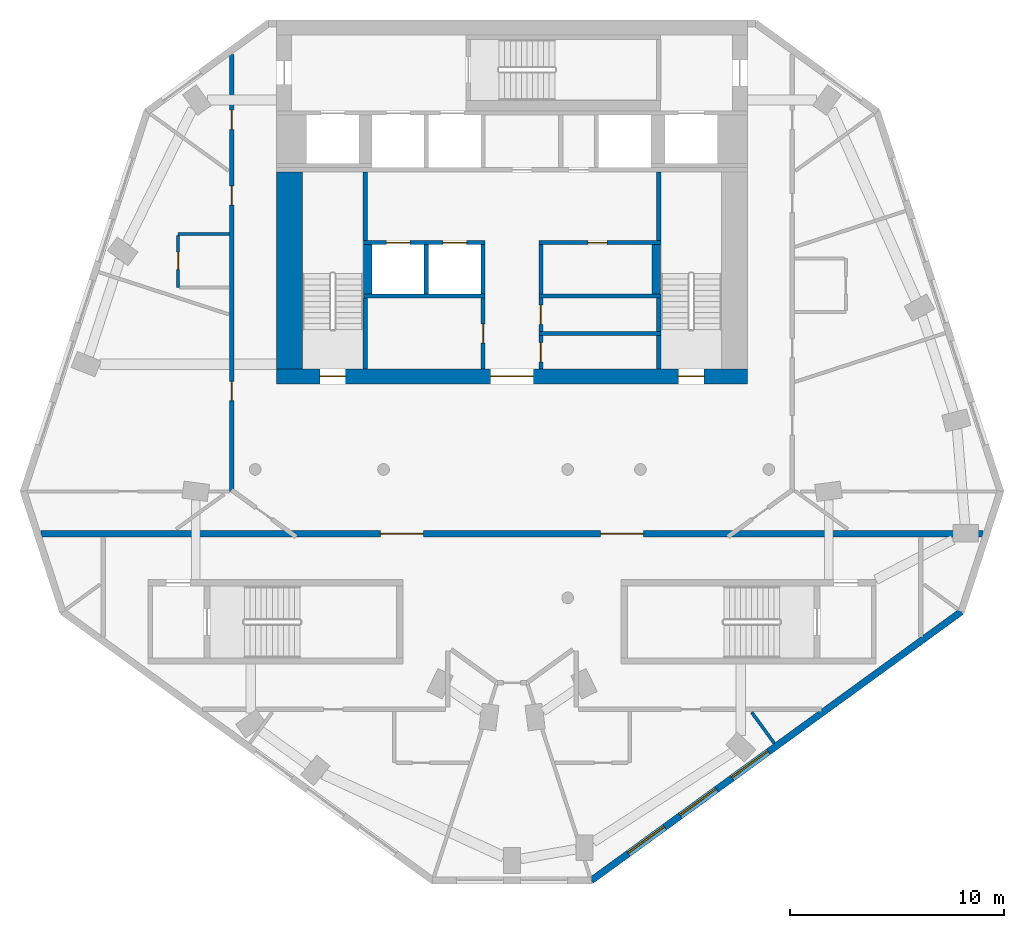
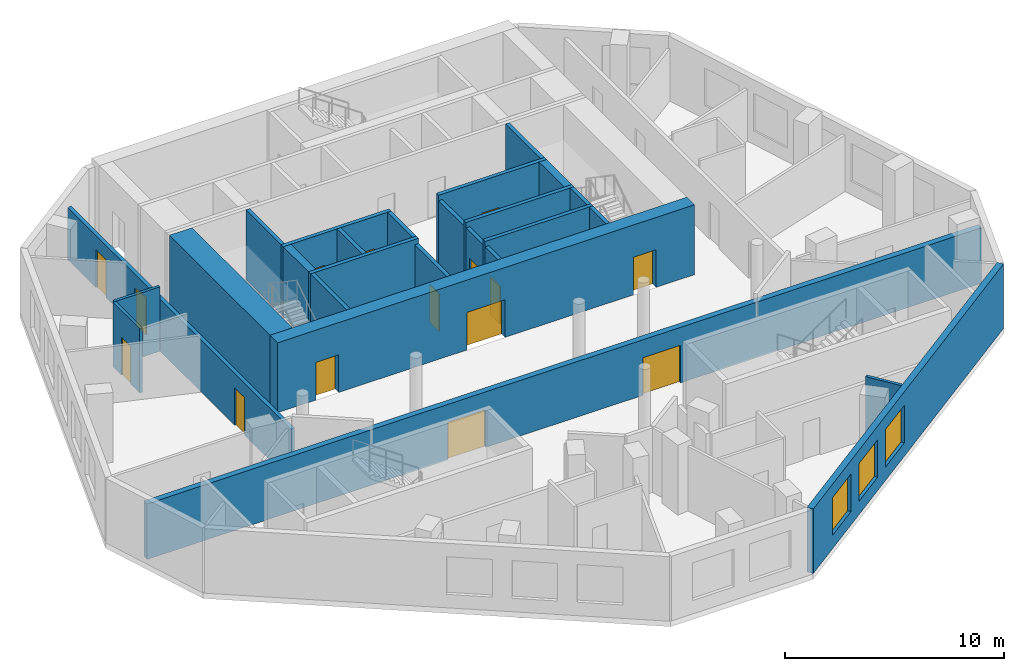
# One storey, part 3 of 8: 26 walls, 15 doors, 3 windows, 18 openings.
"""IFC4 building model written with IfcOpenShell, lengths in metres."""

from ifc_helpers import new_model, si_unit, direction, frame, frame_2d, origin, place, context, subcontext, project, spatial, rectangle, extrude, material, layer, layer_set, type_object, element, fill, save


model = new_model("IFC4")

# Units and contexts
model_context = context("Model", 3, precision=1e-05, world=origin(), true_north=direction((0.0, 1.0)))
body_context = subcontext(model_context, "Body", "Model", "MODEL_VIEW")
ifc_project = project(units=[si_unit("LENGTHUNIT", "METRE"), si_unit("AREAUNIT", "SQUARE_METRE"), si_unit("VOLUMEUNIT", "CUBIC_METRE"), si_unit("PLANEANGLEUNIT", "RADIAN"), si_unit("MASSUNIT", "GRAM", prefix="KILO")], contexts=[model_context])

# Site, building, storey
site_placement = place(None, origin())
site = spatial("IfcSite", under=ifc_project, at=site_placement, CompositionType="ELEMENT")
building_placement = place(site_placement, origin())
building = spatial("IfcBuilding", under=site, at=building_placement, Name="White Candle Pilgrim Tower", CompositionType="ELEMENT")
storey_placement = place(building_placement, frame((0.0, 0.0, 291.199951171875)))
storey = spatial("IfcBuildingStorey", under=building, at=storey_placement, Name="L69", CompositionType="ELEMENT", Elevation=291.199951171875)

# Wall, openings, doors
ifc_material_1 = material(Name="Gypsum board on steel studs", Category="steel")
ifc_layer_1 = layer(ifc_material_1, 0.199951171875)
ifc_layer_set_1 = layer_set([ifc_layer_1], Name="Corridor wall 200 mm EI 45")
wall_type_1 = type_object("IfcWallType", Name="Corridor wall 200 mm EI 45", PredefinedType="PARTITIONING", material=ifc_layer_set_1)
wall_1_placement = place(storey_placement, frame((56.89990234375, 65.97998046875, 0.0), z_axis=(0.0, 0.0, 1.0), x_axis=(0.0, 1.0, 0.0)))
wall_1 = element("IfcWall", 1, at=wall_1_placement, inside=storey, type_object=wall_type_1, Name="WL-L69-P004", PredefinedType="PARTITIONING", context=body_context, shape_type="SweptSolid", body=[
    extrude(rectangle(XDim=20.416259765625, YDim=0.199951171875, at=frame_2d((10.2080078125, 0.0))), origin(), (0.0, 0.0, 1.0), 2.900146484375),
])
opening_1_placement = place(wall_1_placement, frame((4.241455078125, 0.0, 0.0)))
opening_1 = element("IfcOpeningElement", 2, at=opening_1_placement, cuts=wall_1, Name="Opening T21-110", PredefinedType="OPENING", context=body_context, shape_type="SweptSolid", body=[
    extrude(rectangle(XDim=0.89990234375, YDim=2.10009765625, at=frame_2d((0.449951171875, 1.050048828125))), frame((0.0, 0.10986328125, 0.0), z_axis=(0.0, -1.0, 0.0), x_axis=(1.0, 0.0, 0.0)), (0.0, 0.0, 1.0), 0.219970703125),
])
opening_2_placement = place(wall_1_placement, frame((13.373779296875, 0.0, 0.0)))
opening_2 = element("IfcOpeningElement", 3, at=opening_2_placement, cuts=wall_1, Name="Opening T21-111", PredefinedType="OPENING", context=body_context, shape_type="SweptSolid", body=[
    extrude(rectangle(XDim=0.89990234375, YDim=2.10009765625, at=frame_2d((0.449951171875, 1.050048828125))), frame((0.0, 0.10986328125, 0.0), z_axis=(0.0, -1.0, 0.0), x_axis=(1.0, 0.0, 0.0)), (0.0, 0.0, 1.0), 0.219970703125),
])
opening_3_placement = place(wall_1_placement, frame((16.90380859375, 0.0, 0.0)))
opening_3 = element("IfcOpeningElement", 4, at=opening_3_placement, cuts=wall_1, Name="Opening T21-112", PredefinedType="OPENING", context=body_context, shape_type="SweptSolid", body=[
    extrude(rectangle(XDim=0.89990234375, YDim=2.10009765625, at=frame_2d((0.449951171875, 1.050048828125))), frame((0.0, 0.10986328125, 0.0), z_axis=(0.0, -1.0, 0.0), x_axis=(1.0, 0.0, 0.0)), (0.0, 0.0, 1.0), 0.219970703125),
])
ifc_material_2 = material(Name="Steel door leaf", Category="steel")
door_type_1 = type_object("IfcDoorType", Name="Fire door 900 x 2100 EI 30", OperationType="NOTDEFINED", PredefinedType="DOOR", material=ifc_material_2)
door_1_placement = place(opening_1_placement, origin())
door_1 = element("IfcDoor", 5, at=door_1_placement, inside=storey, type_object=door_type_1, Name="Door T21-110", OperationType="SINGLE_SWING_RIGHT", OverallHeight=2.10009765625, OverallWidth=0.89990234375, PredefinedType="DOOR", context=body_context, shape_type="SweptSolid", body=[
    extrude(rectangle(XDim=0.89990234375, YDim=2.10009765625, at=frame_2d((0.449951171875, 1.050048828125))), frame((0.0, 0.02490234375, 0.0), z_axis=(0.0, -1.0, 0.0), x_axis=(1.0, 0.0, 0.0)), (0.0, 0.0, 1.0), 0.050048828125),
])
fill(opening_1, door_1)
door_2_placement = place(opening_2_placement, origin())
door_2 = element("IfcDoor", 6, at=door_2_placement, inside=storey, type_object=door_type_1, Name="Door T21-111", OperationType="SINGLE_SWING_LEFT", OverallHeight=2.10009765625, OverallWidth=0.89990234375, PredefinedType="DOOR", context=body_context, shape_type="SweptSolid", body=[
    extrude(rectangle(XDim=0.89990234375, YDim=2.10009765625, at=frame_2d((0.449951171875, 1.050048828125))), frame((0.0, 0.02490234375, 0.0), z_axis=(0.0, -1.0, 0.0), x_axis=(1.0, 0.0, 0.0)), (0.0, 0.0, 1.0), 0.050048828125),
])
fill(opening_2, door_2)
door_3_placement = place(opening_3_placement, origin())
door_3 = element("IfcDoor", 7, at=door_3_placement, inside=storey, type_object=door_type_1, Name="Door T21-112", OperationType="SINGLE_SWING_RIGHT", OverallHeight=2.10009765625, OverallWidth=0.89990234375, PredefinedType="DOOR", context=body_context, shape_type="SweptSolid", body=[
    extrude(rectangle(XDim=0.89990234375, YDim=2.10009765625, at=frame_2d((0.449951171875, 1.050048828125))), frame((0.0, 0.02490234375, 0.0), z_axis=(0.0, -1.0, 0.0), x_axis=(1.0, 0.0, 0.0)), (0.0, 0.0, 1.0), 0.050048828125),
])
fill(opening_3, door_3)

# Wall, openings, windows
ifc_material_3 = material(Name="Precast concrete C40/50", Category="concrete")
ifc_layer_2 = layer(ifc_material_3, 0.320068359375)
ifc_layer_set_2 = layer_set([ifc_layer_2], Name="Facade wall EW1 precast concrete C40/50 pier wall with timber-lined reveals")
wall_type_2 = type_object("IfcWallType", Name="Facade wall EW1 precast concrete C40/50 pier wall with timber-lined reveals", PredefinedType="SOLIDWALL", material=ifc_layer_set_2)
wall_2_placement = place(storey_placement, frame((73.705078125, 47.7939453125, 0.0), z_axis=(0.0, 0.0, 1.0), x_axis=(0.809019072803, 0.58778239157, 0.0)))
wall_2 = element("IfcWall", 8, at=wall_2_placement, inside=storey, type_object=wall_type_2, Name="Facade wall L69 SE", PredefinedType="SOLIDWALL", context=body_context, shape_type="SweptSolid", body=[
    extrude(rectangle(XDim=21.369873046875, YDim=0.320068359375, at=frame_2d((10.68505859375, 0.0))), origin(), (0.0, 0.0, 1.0), 3.60009765625),
])
opening_4_placement = place(wall_2_placement, frame((2.135009765625, 0.0, 0.75)))
opening_4 = element("IfcOpeningElement", 9, at=opening_4_placement, cuts=wall_2, Name="Opening W3", PredefinedType="OPENING", context=body_context, shape_type="SweptSolid", body=[
    extrude(rectangle(XDim=2.10009765625, YDim=2.10009765625, at=frame_2d((1.050048828125, 1.050048828125))), frame((0.0, 0.169921875, 0.0), z_axis=(0.0, -1.0, 0.0), x_axis=(1.0, 0.0, 0.0)), (0.0, 0.0, 1.0), 0.340087890625),
])
opening_5_placement = place(wall_2_placement, frame((5.135009765625, 0.0, 0.75)))
opening_5 = element("IfcOpeningElement", 10, at=opening_5_placement, cuts=wall_2, Name="Opening W3", PredefinedType="OPENING", context=body_context, shape_type="SweptSolid", body=[
    extrude(rectangle(XDim=2.10009765625, YDim=2.10009765625, at=frame_2d((1.050048828125, 1.050048828125))), frame((0.0, 0.169921875, 0.0), z_axis=(0.0, -1.0, 0.0), x_axis=(1.0, 0.0, 0.0)), (0.0, 0.0, 1.0), 0.340087890625),
])
opening_6_placement = place(wall_2_placement, frame((8.135009765625, 0.0, 0.75)))
opening_6 = element("IfcOpeningElement", 11, at=opening_6_placement, cuts=wall_2, Name="Opening W3", PredefinedType="OPENING", context=body_context, shape_type="SweptSolid", body=[
    extrude(rectangle(XDim=2.10009765625, YDim=2.10009765625, at=frame_2d((1.050048828125, 1.050048828125))), frame((0.0, 0.169921875, 0.0), z_axis=(0.0, -1.0, 0.0), x_axis=(1.0, 0.0, 0.0)), (0.0, 0.0, 1.0), 0.340087890625),
])
ifc_material_4 = material(Name="Timber frame with triple glazing", Category="wood")
window_type = type_object("IfcWindowType", Name="Window W3 2100x2100 timber frame triple glazing", PartitioningType="SINGLE_PANEL", PredefinedType="WINDOW", material=ifc_material_4)
window_1_placement = place(opening_4_placement, origin())
window_1 = element("IfcWindow", 12, at=window_1_placement, inside=storey, type_object=window_type, Name="Window W3 L69 SE 1", OverallHeight=2.10009765625, OverallWidth=2.10009765625, PartitioningType="SINGLE_PANEL", PredefinedType="WINDOW", context=body_context, shape_type="SweptSolid", body=[
    extrude(rectangle(XDim=2.10009765625, YDim=2.10009765625, at=frame_2d((1.050048828125, 1.050048828125))), frame((0.0, 0.070068359375, 0.0), z_axis=(0.0, -1.0, 0.0), x_axis=(1.0, 0.0, 0.0)), (0.0, 0.0, 1.0), 0.06005859375),
])
fill(opening_4, window_1)
window_2_placement = place(opening_5_placement, origin())
window_2 = element("IfcWindow", 13, at=window_2_placement, inside=storey, type_object=window_type, Name="Window W3 L69 SE 2", OverallHeight=2.10009765625, OverallWidth=2.10009765625, PartitioningType="SINGLE_PANEL", PredefinedType="WINDOW", context=body_context, shape_type="SweptSolid", body=[
    extrude(rectangle(XDim=2.10009765625, YDim=2.10009765625, at=frame_2d((1.050048828125, 1.050048828125))), frame((0.0, 0.070068359375, 0.0), z_axis=(0.0, -1.0, 0.0), x_axis=(1.0, 0.0, 0.0)), (0.0, 0.0, 1.0), 0.06005859375),
])
fill(opening_5, window_2)
window_3_placement = place(opening_6_placement, origin())
window_3 = element("IfcWindow", 14, at=window_3_placement, inside=storey, type_object=window_type, Name="Window W3 L69 SE 3", OverallHeight=2.10009765625, OverallWidth=2.10009765625, PartitioningType="SINGLE_PANEL", PredefinedType="WINDOW", context=body_context, shape_type="SweptSolid", body=[
    extrude(rectangle(XDim=2.10009765625, YDim=2.10009765625, at=frame_2d((1.050048828125, 1.050048828125))), frame((0.0, 0.070068359375, 0.0), z_axis=(0.0, -1.0, 0.0), x_axis=(1.0, 0.0, 0.0)), (0.0, 0.0, 1.0), 0.06005859375),
])
fill(opening_6, window_3)

# Wall, openings, doors
ifc_material_5 = material(Name="Aerated concrete block", Category="concrete")
ifc_layer_3 = layer(ifc_material_5, 0.300048828125)
ifc_layer_set_3 = layer_set([ifc_layer_3], Name="Fire wall 300 mm REI 240")
wall_type_3 = type_object("IfcWallType", Name="Fire wall 300 mm REI 240", PredefinedType="PARTITIONING", material=ifc_layer_set_3)
wall_3_placement = place(storey_placement, frame((47.990234375, 64.0, 0.0), z_axis=(0.0, 0.0, 1.0), x_axis=(1.0, 0.0, 0.0)))
wall_3 = element("IfcWall", 15, at=wall_3_placement, inside=storey, type_object=wall_type_3, Name="WL-L69-P001", PredefinedType="PARTITIONING", context=body_context, shape_type="SweptSolid", body=[
    extrude(rectangle(XDim=44.01953125, YDim=0.300048828125, at=frame_2d((22.009765625, 0.0))), origin(), (0.0, 0.0, 1.0), 3.10009765625),
])
opening_7_placement = place(wall_3_placement, frame((15.864501953125, 0.0, 0.0)))
opening_7 = element("IfcOpeningElement", 16, at=opening_7_placement, cuts=wall_3, Name="Opening T21-108", PredefinedType="OPENING", context=body_context, shape_type="SweptSolid", body=[
    extrude(rectangle(XDim=2.0, YDim=2.10009765625, at=frame_2d((1.0, 1.050048828125))), frame((0.0, 0.159912109375, 0.0), z_axis=(0.0, -1.0, 0.0), x_axis=(1.0, 0.0, 0.0)), (0.0, 0.0, 1.0), 0.320068359375),
])
opening_8_placement = place(wall_3_placement, frame((26.1552734375, 0.0, 0.0)))
opening_8 = element("IfcOpeningElement", 17, at=opening_8_placement, cuts=wall_3, Name="Opening T21-109", PredefinedType="OPENING", context=body_context, shape_type="SweptSolid", body=[
    extrude(rectangle(XDim=2.0, YDim=2.10009765625, at=frame_2d((1.0, 1.050048828125))), frame((0.0, 0.159912109375, 0.0), z_axis=(0.0, -1.0, 0.0), x_axis=(1.0, 0.0, 0.0)), (0.0, 0.0, 1.0), 0.320068359375),
])
door_type_2 = type_object("IfcDoorType", Name="Fire door 2000 x 2100 EI 60", OperationType="NOTDEFINED", PredefinedType="DOOR", material=ifc_material_2)
door_4_placement = place(opening_7_placement, origin())
door_4 = element("IfcDoor", 18, at=door_4_placement, inside=storey, type_object=door_type_2, Name="Door T21-108", OperationType="DOUBLE_DOOR_SINGLE_SWING", OverallHeight=2.10009765625, OverallWidth=2.0, PredefinedType="DOOR", context=body_context, shape_type="SweptSolid", body=[
    extrude(rectangle(XDim=2.0, YDim=2.10009765625, at=frame_2d((1.0, 1.050048828125))), frame((0.0, 0.02490234375, 0.0), z_axis=(0.0, -1.0, 0.0), x_axis=(1.0, 0.0, 0.0)), (0.0, 0.0, 1.0), 0.050048828125),
])
fill(opening_7, door_4)
door_5_placement = place(opening_8_placement, origin())
door_5 = element("IfcDoor", 19, at=door_5_placement, inside=storey, type_object=door_type_2, Name="Door T21-109", OperationType="DOUBLE_DOOR_SINGLE_SWING", OverallHeight=2.10009765625, OverallWidth=2.0, PredefinedType="DOOR", context=body_context, shape_type="SweptSolid", body=[
    extrude(rectangle(XDim=2.0, YDim=2.10009765625, at=frame_2d((1.0, 1.050048828125))), frame((0.0, 0.02490234375, 0.0), z_axis=(0.0, -1.0, 0.0), x_axis=(1.0, 0.0, 0.0)), (0.0, 0.0, 1.0), 0.050048828125),
])
fill(opening_8, door_5)

# Wall, opening, door
ifc_layer_4 = layer(ifc_material_1, 0.199951171875)
ifc_layer_set_4 = layer_set([ifc_layer_4], Name="Lobby wall 200 mm EI 60")
wall_type_4 = type_object("IfcWallType", Name="Lobby wall 200 mm EI 60", PredefinedType="PARTITIONING", material=ifc_layer_set_4)
wall_4_placement = place(storey_placement, frame((68.64990234375, 71.699951171875, 0.0), z_axis=(0.0, 0.0, 1.0), x_axis=(0.0, 1.0, 0.0)))
wall_4 = element("IfcWall", 20, at=wall_4_placement, inside=storey, type_object=wall_type_4, Name="WL-L69-C14", PredefinedType="PARTITIONING", context=body_context, shape_type="SweptSolid", body=[
    extrude(rectangle(XDim=3.300048828125, YDim=0.199951171875, at=frame_2d((1.64990234375, 0.0))), origin(), (0.0, 0.0, 1.0), 3.60009765625),
])
opening_9_placement = place(wall_4_placement, frame((1.199951171875, 0.0, 0.0)))
opening_9 = element("IfcOpeningElement", 21, at=opening_9_placement, cuts=wall_4, Name="Opening T21-005", PredefinedType="OPENING", context=body_context, shape_type="SweptSolid", body=[
    extrude(rectangle(XDim=0.89990234375, YDim=2.10009765625, at=frame_2d((0.449951171875, 1.050048828125))), frame((0.0, 0.10986328125, 0.0), z_axis=(0.0, -1.0, 0.0), x_axis=(1.0, 0.0, 0.0)), (0.0, 0.0, 1.0), 0.219970703125),
])
door_6_placement = place(opening_9_placement, origin())
door_6 = element("IfcDoor", 22, at=door_6_placement, inside=storey, type_object=door_type_1, Name="Door T21-005", OperationType="SINGLE_SWING_LEFT", OverallHeight=2.10009765625, OverallWidth=0.89990234375, PredefinedType="DOOR", context=body_context, shape_type="SweptSolid", body=[
    extrude(rectangle(XDim=0.89990234375, YDim=2.10009765625, at=frame_2d((0.449951171875, 1.050048828125))), frame((0.0, 0.02490234375, 0.0), z_axis=(0.0, -1.0, 0.0), x_axis=(1.0, 0.0, 0.0)), (0.0, 0.0, 1.0), 0.050048828125),
])
fill(opening_9, door_6)

wall_5_placement = place(storey_placement, frame((71.35009765625, 71.699951171875, 0.0), z_axis=(0.0, 0.0, 1.0), x_axis=(0.0, 1.0, 0.0)))
wall_5 = element("IfcWall", 23, at=wall_5_placement, inside=storey, type_object=wall_type_4, Name="WL-L69-C15", PredefinedType="PARTITIONING", context=body_context, shape_type="SweptSolid", body=[
    extrude(rectangle(XDim=1.550048828125, YDim=0.199951171875, at=frame_2d((0.77490234375, 0.0))), origin(), (0.0, 0.0, 1.0), 3.60009765625),
])
opening_10_placement = place(wall_5_placement, frame((0.324951171875, 0.0, 0.0)))
opening_10 = element("IfcOpeningElement", 24, at=opening_10_placement, cuts=wall_5, Name="Opening T21-006", PredefinedType="OPENING", context=body_context, shape_type="SweptSolid", body=[
    extrude(rectangle(XDim=0.89990234375, YDim=2.10009765625, at=frame_2d((0.449951171875, 1.050048828125))), frame((0.0, 0.10986328125, 0.0), z_axis=(0.0, -1.0, 0.0), x_axis=(1.0, 0.0, 0.0)), (0.0, 0.0, 1.0), 0.219970703125),
])
door_7_placement = place(opening_10_placement, origin())
door_7 = element("IfcDoor", 25, at=door_7_placement, inside=storey, type_object=door_type_1, Name="Door T21-006", OperationType="SINGLE_SWING_RIGHT", OverallHeight=2.10009765625, OverallWidth=0.89990234375, PredefinedType="DOOR", context=body_context, shape_type="SweptSolid", body=[
    extrude(rectangle(XDim=0.89990234375, YDim=2.10009765625, at=frame_2d((0.449951171875, 1.050048828125))), frame((0.0, 0.02490234375, 0.0), z_axis=(0.0, -1.0, 0.0), x_axis=(1.0, 0.0, 0.0)), (0.0, 0.0, 1.0), 0.050048828125),
])
fill(opening_10, door_7)

wall_6_placement = place(storey_placement, frame((71.35009765625, 73.449951171875, 0.0), z_axis=(0.0, 0.0, 1.0), x_axis=(0.0, 1.0, 0.0)))
wall_6 = element("IfcWall", 26, at=wall_6_placement, inside=storey, type_object=wall_type_4, Name="WL-L69-C19", PredefinedType="PARTITIONING", context=body_context, shape_type="SweptSolid", body=[
    extrude(rectangle(XDim=1.550048828125, YDim=0.199951171875, at=frame_2d((0.77490234375, 0.0))), origin(), (0.0, 0.0, 1.0), 3.60009765625),
])
opening_11_placement = place(wall_6_placement, frame((0.324951171875, 0.0, 0.0)))
opening_11 = element("IfcOpeningElement", 27, at=opening_11_placement, cuts=wall_6, Name="Opening T21-007", PredefinedType="OPENING", context=body_context, shape_type="SweptSolid", body=[
    extrude(rectangle(XDim=0.89990234375, YDim=2.10009765625, at=frame_2d((0.449951171875, 1.050048828125))), frame((0.0, 0.10986328125, 0.0), z_axis=(0.0, -1.0, 0.0), x_axis=(1.0, 0.0, 0.0)), (0.0, 0.0, 1.0), 0.219970703125),
])
door_8_placement = place(opening_11_placement, origin())
door_8 = element("IfcDoor", 28, at=door_8_placement, inside=storey, type_object=door_type_1, Name="Door T21-007", OperationType="SINGLE_SWING_LEFT", OverallHeight=2.10009765625, OverallWidth=0.89990234375, PredefinedType="DOOR", context=body_context, shape_type="SweptSolid", body=[
    extrude(rectangle(XDim=0.89990234375, YDim=2.10009765625, at=frame_2d((0.449951171875, 1.050048828125))), frame((0.0, 0.02490234375, 0.0), z_axis=(0.0, -1.0, 0.0), x_axis=(1.0, 0.0, 0.0)), (0.0, 0.0, 1.0), 0.050048828125),
])
fill(opening_11, door_8)

# Walls
wall_7_placement = place(storey_placement, frame((71.35009765625, 75.199951171875, 0.0), z_axis=(0.0, 0.0, 1.0), x_axis=(0.0, 1.0, 0.0)))
element("IfcWall", 29, at=wall_7_placement, inside=storey, type_object=wall_type_4, Name="WL-L69-C26", PredefinedType="PARTITIONING", context=body_context, shape_type="SweptSolid", body=[
    extrude(rectangle(XDim=2.300048828125, YDim=0.199951171875, at=frame_2d((1.14990234375, 0.0))), origin(), (0.0, 0.0, 1.0), 3.60009765625),
])
ifc_layer_5 = layer(ifc_material_1, 0.14990234375)
ifc_layer_set_5 = layer_set([ifc_layer_5], Name="Partition 150 mm EI 60")
wall_type_5 = type_object("IfcWallType", Name="Partition 150 mm EI 60", PredefinedType="PARTITIONING", material=ifc_layer_set_5)
wall_8_placement = place(storey_placement, frame((56.800048828125, 78.004150390625, 0.0), z_axis=(0.0, 0.0, 1.0), x_axis=(-1.0, 0.0, 0.0)))
element("IfcWall", 30, at=wall_8_placement, inside=storey, type_object=wall_type_5, Name="WL-L69-P026", PredefinedType="PARTITIONING", context=body_context, shape_type="SweptSolid", body=[
    extrude(rectangle(XDim=2.400146484375, YDim=0.14990234375, at=frame_2d((1.2001953125, 0.0))), origin(), (0.0, 0.0, 1.0), 3.60009765625),
])

# Wall, opening, door
wall_9_placement = place(storey_placement, frame((54.39990234375, 75.504150390625, 0.0), z_axis=(0.0, 0.0, 1.0), x_axis=(0.0, 1.0, 0.0)))
wall_9 = element("IfcWall", 31, at=wall_9_placement, inside=storey, type_object=wall_type_5, Name="WL-L69-P027", PredefinedType="PARTITIONING", context=body_context, shape_type="SweptSolid", body=[
    extrude(rectangle(XDim=2.425048828125, YDim=0.14990234375, at=frame_2d((1.21240234375, 0.0))), origin(), (0.0, 0.0, 1.0), 3.60009765625),
])
opening_12_placement = place(wall_9_placement, frame((0.85009765625, 0.0, 0.0)))
opening_12 = element("IfcOpeningElement", 32, at=opening_12_placement, cuts=wall_9, Name="Opening T21-101", PredefinedType="OPENING", context=body_context, shape_type="SweptSolid", body=[
    extrude(rectangle(XDim=0.800048828125, YDim=2.10009765625, at=frame_2d((0.39990234375, 1.050048828125))), frame((0.0, 0.0849609375, 0.0), z_axis=(0.0, -1.0, 0.0), x_axis=(1.0, 0.0, 0.0)), (0.0, 0.0, 1.0), 0.169921875),
])
door_type_3 = type_object("IfcDoorType", Name="Fire door 800 x 2100 EI 30", OperationType="NOTDEFINED", PredefinedType="DOOR", material=ifc_material_2)
door_9_placement = place(opening_12_placement, origin())
door_9 = element("IfcDoor", 33, at=door_9_placement, inside=storey, type_object=door_type_3, Name="Door T21-101", OperationType="SINGLE_SWING_LEFT", OverallHeight=2.10009765625, OverallWidth=0.800048828125, PredefinedType="DOOR", context=body_context, shape_type="SweptSolid", body=[
    extrude(rectangle(XDim=0.800048828125, YDim=2.10009765625, at=frame_2d((0.39990234375, 1.050048828125))), frame((0.0, 0.02490234375, 0.0), z_axis=(0.0, -1.0, 0.0), x_axis=(1.0, 0.0, 0.0)), (0.0, 0.0, 1.0), 0.050048828125),
])
fill(opening_12, door_9)

# Walls
wall_10_placement = place(storey_placement, frame((82.25537109375, 54.20361328125, 0.0), z_axis=(0.0, 0.0, 1.0), x_axis=(-0.58776731683, 0.809030024947, 0.0)))
element("IfcWall", 34, at=wall_10_placement, inside=storey, type_object=wall_type_5, Name="WL-L69-P032", PredefinedType="PARTITIONING", context=body_context, shape_type="SweptSolid", body=[
    extrude(rectangle(XDim=1.795166015625, YDim=0.14990234375, at=frame_2d((0.8974609375, 0.0))), origin(), (0.0, 0.0, 1.0), 3.60009765625),
])
ifc_material_6 = material(Name="Concrete C50/60", Category="concrete")
ifc_layer_6 = layer(ifc_material_6, 0.199951171875)
ifc_layer_set_6 = layer_set([ifc_layer_6], Name="Shaft wall 200 mm Concrete C50/60")
wall_type_6 = type_object("IfcWallType", Name="Shaft wall 200 mm Concrete C50/60", PredefinedType="SHEAR", material=ifc_layer_set_6)
for number, where, z_axis, x_axis, name in (
    (35, (66.0, 75.199951171875, 0.0), (0.0, 0.0, 1.0), (0.0, 1.0, 0.0), "WL-L69-C24"),
    (36, (68.64990234375, 75.199951171875, 0.0), (0.0, 0.0, 1.0), (0.0, 1.0, 0.0), "WL-L69-C25"),
):
    element("IfcWall", number, at=place(storey_placement, frame(where, z_axis=z_axis, x_axis=x_axis)), inside=storey, type_object=wall_type_6, Name=name, PredefinedType="SHEAR", context=body_context, shape_type="SweptSolid", body=[
        extrude(rectangle(XDim=2.300048828125, YDim=0.199951171875, at=frame_2d((1.14990234375, 0.0))), origin(), (0.0, 0.0, 1.0), 3.900146484375),
    ])
ifc_layer_7 = layer(ifc_material_6, 1.199951171875)
ifc_layer_set_7 = layer_set([ifc_layer_7], Name="Stair shaft wall 1200 mm Concrete C50/60")
wall_type_7 = type_object("IfcWallType", Name="Stair shaft wall 1200 mm Concrete C50/60", PredefinedType="SHEAR", material=ifc_layer_set_7)
wall_11_placement = place(storey_placement, frame((59.60009765625, 71.699951171875, 0.0), z_axis=(0.0, 0.0, 1.0), x_axis=(0.0, 1.0, 0.0)))
element("IfcWall", 37, at=wall_11_placement, inside=storey, type_object=wall_type_7, Name="WL-L69-C12", PredefinedType="SHEAR", context=body_context, shape_type="SweptSolid", body=[
    extrude(rectangle(XDim=9.199951171875, YDim=1.199951171875, at=frame_2d((4.60009765625, 0.0))), origin(), (0.0, 0.0, 1.0), 3.900146484375),
])
ifc_layer_8 = layer(ifc_material_6, 0.199951171875)
ifc_layer_set_8 = layer_set([ifc_layer_8], Name="Stair shaft wall 200 mm Concrete C50/60")
wall_type_8 = type_object("IfcWallType", Name="Stair shaft wall 200 mm Concrete C50/60", PredefinedType="SHEAR", material=ifc_layer_set_8)
wall_12_placement = place(storey_placement, frame((63.14990234375, 71.699951171875, 0.0), z_axis=(0.0, 0.0, 1.0), x_axis=(0.0, 1.0, 0.0)))
element("IfcWall", 38, at=wall_12_placement, inside=storey, type_object=wall_type_8, Name="WL-L69-C13", PredefinedType="SHEAR", context=body_context, shape_type="SweptSolid", body=[
    extrude(rectangle(XDim=3.300048828125, YDim=0.199951171875, at=frame_2d((1.64990234375, 0.0))), origin(), (0.0, 0.0, 1.0), 3.900146484375),
])
wall_13_placement = place(storey_placement, frame((76.85009765625, 71.699951171875, 0.0), z_axis=(0.0, 0.0, 1.0), x_axis=(0.0, 1.0, 0.0)))
element("IfcWall", 39, at=wall_13_placement, inside=storey, type_object=wall_type_8, Name="WL-L69-C16", PredefinedType="SHEAR", context=body_context, shape_type="SweptSolid", body=[
    extrude(rectangle(XDim=1.550048828125, YDim=0.199951171875, at=frame_2d((0.77490234375, 0.0))), origin(), (0.0, 0.0, 1.0), 3.900146484375),
])
wall_14_placement = place(storey_placement, frame((71.25, 73.35009765625, 0.0), z_axis=(0.0, 0.0, 1.0), x_axis=(1.0, 0.0, 0.0)))
element("IfcWall", 40, at=wall_14_placement, inside=storey, type_object=wall_type_8, Name="WL-L69-C18", PredefinedType="SHEAR", context=body_context, shape_type="SweptSolid", body=[
    extrude(rectangle(XDim=5.699951171875, YDim=0.199951171875, at=frame_2d((2.85009765625, 0.0))), origin(), (0.0, 0.0, 1.0), 3.900146484375),
])
wall_15_placement = place(storey_placement, frame((76.85009765625, 73.449951171875, 0.0), z_axis=(0.0, 0.0, 1.0), x_axis=(0.0, 1.0, 0.0)))
element("IfcWall", 41, at=wall_15_placement, inside=storey, type_object=wall_type_8, Name="WL-L69-C20", PredefinedType="SHEAR", context=body_context, shape_type="SweptSolid", body=[
    extrude(rectangle(XDim=1.550048828125, YDim=0.199951171875, at=frame_2d((0.77490234375, 0.0))), origin(), (0.0, 0.0, 1.0), 3.900146484375),
])
for number, where, z_axis, x_axis, name in (
    (42, (63.050048828125, 75.10009765625, 0.0), (0.0, 0.0, 1.0), (1.0, 0.0, 0.0), "WL-L69-C21"),
    (43, (71.25, 75.10009765625, 0.0), (0.0, 0.0, 1.0), (1.0, 0.0, 0.0), "WL-L69-C22"),
):
    element("IfcWall", number, at=place(storey_placement, frame(where, z_axis=z_axis, x_axis=x_axis)), inside=storey, type_object=wall_type_8, Name=name, PredefinedType="SHEAR", context=body_context, shape_type="SweptSolid", body=[
        extrude(rectangle(XDim=5.699951171875, YDim=0.199951171875, at=frame_2d((2.85009765625, 0.0))), origin(), (0.0, 0.0, 1.0), 3.900146484375),
    ])

# Wall, openings, doors
wall_16_placement = place(storey_placement, frame((63.050048828125, 77.60009765625, 0.0), z_axis=(0.0, 0.0, 1.0), x_axis=(1.0, 0.0, 0.0)))
wall_16 = element("IfcWall", 44, at=wall_16_placement, inside=storey, type_object=wall_type_8, Name="WL-L69-C28", PredefinedType="SHEAR", context=body_context, shape_type="SweptSolid", body=[
    extrude(rectangle(XDim=5.699951171875, YDim=0.199951171875, at=frame_2d((2.85009765625, 0.0))), origin(), (0.0, 0.0, 1.0), 3.900146484375),
])
opening_13_placement = place(wall_16_placement, frame((1.074951171875, 0.0, 0.0)))
opening_13 = element("IfcOpeningElement", 45, at=opening_13_placement, cuts=wall_16, Name="Opening T21-014", PredefinedType="OPENING", context=body_context, shape_type="SweptSolid", body=[
    extrude(rectangle(XDim=1.10009765625, YDim=2.10009765625, at=frame_2d((0.550048828125, 1.050048828125))), frame((0.0, 0.10986328125, 0.0), z_axis=(0.0, -1.0, 0.0), x_axis=(1.0, 0.0, 0.0)), (0.0, 0.0, 1.0), 0.219970703125),
])
opening_14_placement = place(wall_16_placement, frame((3.72509765625, 0.0, 0.0)))
opening_14 = element("IfcOpeningElement", 46, at=opening_14_placement, cuts=wall_16, Name="Opening T21-015", PredefinedType="OPENING", context=body_context, shape_type="SweptSolid", body=[
    extrude(rectangle(XDim=1.10009765625, YDim=2.10009765625, at=frame_2d((0.550048828125, 1.050048828125))), frame((0.0, 0.10986328125, 0.0), z_axis=(0.0, -1.0, 0.0), x_axis=(1.0, 0.0, 0.0)), (0.0, 0.0, 1.0), 0.219970703125),
])
ifc_material_7 = material(Name="Stainless steel", Category="steel")
door_type_4 = type_object("IfcDoorType", Name="Lift landing door 1100 x 2100 E 60", OperationType="DOUBLE_DOOR_SLIDING", PredefinedType="DOOR", material=ifc_material_7)
door_10_placement = place(opening_13_placement, origin())
door_10 = element("IfcDoor", 47, at=door_10_placement, inside=storey, type_object=door_type_4, Name="Door T21-014", OperationType="DOUBLE_DOOR_SLIDING", OverallHeight=2.10009765625, OverallWidth=1.10009765625, PredefinedType="DOOR", context=body_context, shape_type="SweptSolid", body=[
    extrude(rectangle(XDim=1.10009765625, YDim=2.10009765625, at=frame_2d((0.550048828125, 1.050048828125))), frame((0.0, 0.02490234375, 0.0), z_axis=(0.0, -1.0, 0.0), x_axis=(1.0, 0.0, 0.0)), (0.0, 0.0, 1.0), 0.050048828125),
])
fill(opening_13, door_10)
door_11_placement = place(opening_14_placement, origin())
door_11 = element("IfcDoor", 48, at=door_11_placement, inside=storey, type_object=door_type_4, Name="Door T21-015", OperationType="DOUBLE_DOOR_SLIDING", OverallHeight=2.10009765625, OverallWidth=1.10009765625, PredefinedType="DOOR", context=body_context, shape_type="SweptSolid", body=[
    extrude(rectangle(XDim=1.10009765625, YDim=2.10009765625, at=frame_2d((0.550048828125, 1.050048828125))), frame((0.0, 0.02490234375, 0.0), z_axis=(0.0, -1.0, 0.0), x_axis=(1.0, 0.0, 0.0)), (0.0, 0.0, 1.0), 0.050048828125),
])
fill(opening_14, door_11)

# Wall, opening, door
wall_17_placement = place(storey_placement, frame((71.25, 77.60009765625, 0.0), z_axis=(0.0, 0.0, 1.0), x_axis=(1.0, 0.0, 0.0)))
wall_17 = element("IfcWall", 49, at=wall_17_placement, inside=storey, type_object=wall_type_8, Name="WL-L69-C29", PredefinedType="SHEAR", context=body_context, shape_type="SweptSolid", body=[
    extrude(rectangle(XDim=5.699951171875, YDim=0.199951171875, at=frame_2d((2.85009765625, 0.0))), origin(), (0.0, 0.0, 1.0), 3.900146484375),
])
opening_15_placement = place(wall_17_placement, frame((2.300048828125, 0.0, 0.0)))
opening_15 = element("IfcOpeningElement", 50, at=opening_15_placement, cuts=wall_17, Name="Opening T21-020", PredefinedType="OPENING", context=body_context, shape_type="SweptSolid", body=[
    extrude(rectangle(XDim=0.89990234375, YDim=2.10009765625, at=frame_2d((0.449951171875, 1.050048828125))), frame((0.0, 0.10986328125, 0.0), z_axis=(0.0, -1.0, 0.0), x_axis=(1.0, 0.0, 0.0)), (0.0, 0.0, 1.0), 0.219970703125),
])
door_12_placement = place(opening_15_placement, origin())
door_12 = element("IfcDoor", 51, at=door_12_placement, inside=storey, type_object=door_type_1, Name="Door T21-020", OperationType="SINGLE_SWING_RIGHT", OverallHeight=2.10009765625, OverallWidth=0.89990234375, PredefinedType="DOOR", context=body_context, shape_type="SweptSolid", body=[
    extrude(rectangle(XDim=0.89990234375, YDim=2.10009765625, at=frame_2d((0.449951171875, 1.050048828125))), frame((0.0, 0.02490234375, 0.0), z_axis=(0.0, -1.0, 0.0), x_axis=(1.0, 0.0, 0.0)), (0.0, 0.0, 1.0), 0.050048828125),
])
fill(opening_15, door_12)

# Walls
for number, where, z_axis, x_axis, name in (
    (52, (63.14990234375, 77.699951171875, 0.0), (0.0, 0.0, 1.0), (0.0, 1.0, 0.0), "WL-L69-C30"),
    (53, (76.85009765625, 77.699951171875, 0.0), (0.0, 0.0, 1.0), (0.0, 1.0, 0.0), "WL-L69-C31"),
):
    element("IfcWall", number, at=place(storey_placement, frame(where, z_axis=z_axis, x_axis=x_axis)), inside=storey, type_object=wall_type_8, Name=name, PredefinedType="SHEAR", context=body_context, shape_type="SweptSolid", body=[
        extrude(rectangle(XDim=3.199951171875, YDim=0.199951171875, at=frame_2d((1.60009765625, 0.0))), origin(), (0.0, 0.0, 1.0), 3.900146484375),
    ])
ifc_layer_9 = layer(ifc_material_6, 0.39990234375)
ifc_layer_set_9 = layer_set([ifc_layer_9], Name="Stair shaft wall 400 mm Concrete C50/60")
wall_type_9 = type_object("IfcWallType", Name="Stair shaft wall 400 mm Concrete C50/60", PredefinedType="SHEAR", material=ifc_layer_set_9)
for number, where, z_axis, x_axis, name in (
    (54, (63.25, 75.199951171875, 0.0), (0.0, 0.0, 1.0), (0.0, 1.0, 0.0), "WL-L69-C23"),
    (55, (76.75, 75.199951171875, 0.0), (0.0, 0.0, 1.0), (0.0, 1.0, 0.0), "WL-L69-C27"),
):
    element("IfcWall", number, at=place(storey_placement, frame(where, z_axis=z_axis, x_axis=x_axis)), inside=storey, type_object=wall_type_9, Name=name, PredefinedType="SHEAR", context=body_context, shape_type="SweptSolid", body=[
        extrude(rectangle(XDim=2.300048828125, YDim=0.39990234375, at=frame_2d((1.14990234375, 0.0))), origin(), (0.0, 0.0, 1.0), 3.900146484375),
    ])

# Wall, openings, doors
ifc_layer_10 = layer(ifc_material_6, 0.699951171875)
ifc_layer_set_10 = layer_set([ifc_layer_10], Name="Stair shaft wall 700 mm Concrete C50/60")
wall_type_10 = type_object("IfcWallType", Name="Stair shaft wall 700 mm Concrete C50/60", PredefinedType="SHEAR", material=ifc_layer_set_10)
wall_18_placement = place(storey_placement, frame((59.0, 71.35009765625, 0.0), z_axis=(0.0, 0.0, 1.0), x_axis=(1.0, 0.0, 0.0)))
wall_18 = element("IfcWall", 56, at=wall_18_placement, inside=storey, type_object=wall_type_10, Name="WL-L69-C11", PredefinedType="SHEAR", context=body_context, shape_type="SweptSolid", body=[
    extrude(rectangle(XDim=22.0, YDim=0.699951171875, at=frame_2d((11.0, 0.0))), origin(), (0.0, 0.0, 1.0), 3.900146484375),
])
opening_16_placement = place(wall_18_placement, frame((2.02490234375, 0.0, 0.0)))
opening_16 = element("IfcOpeningElement", 57, at=opening_16_placement, cuts=wall_18, Name="Opening T21-001", PredefinedType="OPENING", context=body_context, shape_type="SweptSolid", body=[
    extrude(rectangle(XDim=1.199951171875, YDim=2.10009765625, at=frame_2d((0.60009765625, 1.050048828125))), frame((0.0, 0.35986328125, 0.0), z_axis=(0.0, -1.0, 0.0), x_axis=(1.0, 0.0, 0.0)), (0.0, 0.0, 1.0), 0.719970703125),
])
opening_17_placement = place(wall_18_placement, frame((18.77490234375, 0.0, 0.0)))
opening_17 = element("IfcOpeningElement", 58, at=opening_17_placement, cuts=wall_18, Name="Opening T21-002", PredefinedType="OPENING", context=body_context, shape_type="SweptSolid", body=[
    extrude(rectangle(XDim=1.199951171875, YDim=2.10009765625, at=frame_2d((0.60009765625, 1.050048828125))), frame((0.0, 0.35986328125, 0.0), z_axis=(0.0, -1.0, 0.0), x_axis=(1.0, 0.0, 0.0)), (0.0, 0.0, 1.0), 0.719970703125),
])
opening_18_placement = place(wall_18_placement, frame((10.0, 0.0, 0.0)))
opening_18 = element("IfcOpeningElement", 59, at=opening_18_placement, cuts=wall_18, Name="Opening T21-004", PredefinedType="OPENING", context=body_context, shape_type="SweptSolid", body=[
    extrude(rectangle(XDim=2.0, YDim=2.10009765625, at=frame_2d((1.0, 1.050048828125))), frame((0.0, 0.35986328125, 0.0), z_axis=(0.0, -1.0, 0.0), x_axis=(1.0, 0.0, 0.0)), (0.0, 0.0, 1.0), 0.719970703125),
])
door_type_5 = type_object("IfcDoorType", Name="Fire door 1200 x 2100 EI 60", OperationType="NOTDEFINED", PredefinedType="DOOR", material=ifc_material_2)
door_13_placement = place(opening_16_placement, frame((1.199951171875, 0.0, 0.0), z_axis=(0.0, 0.0, 1.0), x_axis=(-1.0, 0.0, 0.0)))
door_13 = element("IfcDoor", 60, at=door_13_placement, inside=storey, type_object=door_type_5, Name="Door T21-001", OperationType="SINGLE_SWING_RIGHT", OverallHeight=2.10009765625, OverallWidth=1.199951171875, PredefinedType="DOOR", context=body_context, shape_type="SweptSolid", body=[
    extrude(rectangle(XDim=1.199951171875, YDim=2.10009765625, at=frame_2d((0.60009765625, 1.050048828125))), frame((0.0, 0.02490234375, 0.0), z_axis=(0.0, -1.0, 0.0), x_axis=(1.0, 0.0, 0.0)), (0.0, 0.0, 1.0), 0.050048828125),
])
fill(opening_16, door_13)
door_14_placement = place(opening_17_placement, frame((1.199951171875, 0.0, 0.0), z_axis=(0.0, 0.0, 1.0), x_axis=(-1.0, 0.0, 0.0)))
door_14 = element("IfcDoor", 61, at=door_14_placement, inside=storey, type_object=door_type_5, Name="Door T21-002", OperationType="SINGLE_SWING_LEFT", OverallHeight=2.10009765625, OverallWidth=1.199951171875, PredefinedType="DOOR", context=body_context, shape_type="SweptSolid", body=[
    extrude(rectangle(XDim=1.199951171875, YDim=2.10009765625, at=frame_2d((0.60009765625, 1.050048828125))), frame((0.0, 0.02490234375, 0.0), z_axis=(0.0, -1.0, 0.0), x_axis=(1.0, 0.0, 0.0)), (0.0, 0.0, 1.0), 0.050048828125),
])
fill(opening_17, door_14)
door_15_placement = place(opening_18_placement, frame((2.0, 0.0, 0.0), z_axis=(0.0, 0.0, 1.0), x_axis=(-1.0, 0.0, 0.0)))
door_15 = element("IfcDoor", 62, at=door_15_placement, inside=storey, type_object=door_type_2, Name="Door T21-004", OperationType="DOUBLE_DOOR_SINGLE_SWING", OverallHeight=2.10009765625, OverallWidth=2.0, PredefinedType="DOOR", context=body_context, shape_type="SweptSolid", body=[
    extrude(rectangle(XDim=2.0, YDim=2.10009765625, at=frame_2d((1.0, 1.050048828125))), frame((0.0, 0.02490234375, 0.0), z_axis=(0.0, -1.0, 0.0), x_axis=(1.0, 0.0, 0.0)), (0.0, 0.0, 1.0), 0.050048828125),
])
fill(opening_18, door_15)

save(model, "model.ifc")
